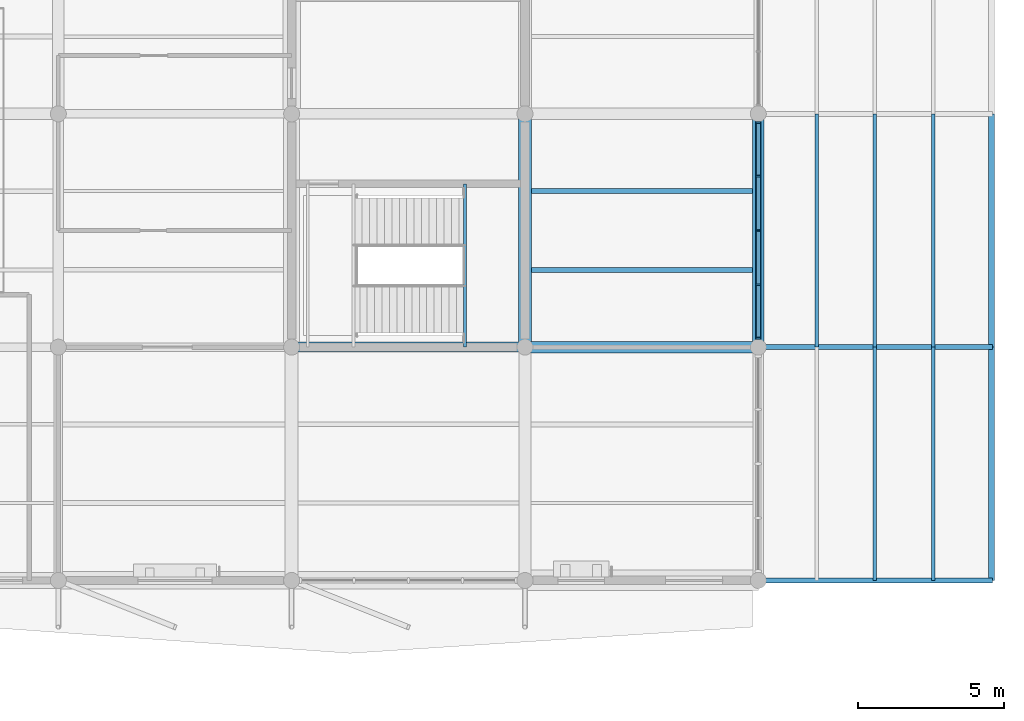
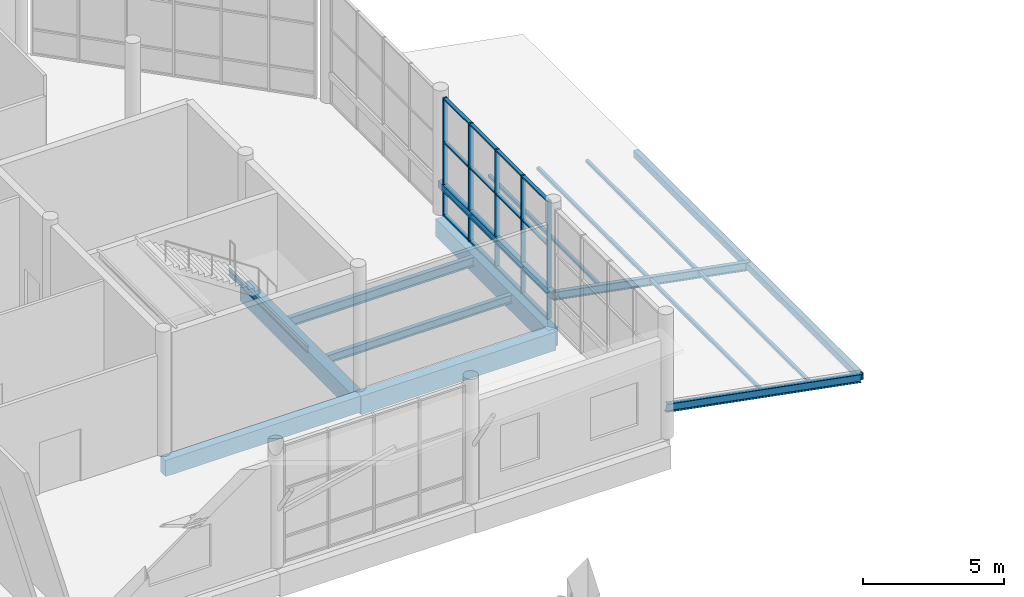
# One storey, part 61 of 122: 26 members, 12 beams, 1 element without a shape of its own.
"""IFC4 building model written with IfcOpenShell, lengths in metres."""

from ifc_helpers import new_model, si_unit, direction, frame, origin, origin_2d, place, context, subcontext, project, spatial, rectangle, hollow_rectangle, i_section, extrude, material, material_profile, profile_set, type_object, element, aggregate, save


model = new_model("IFC4")

# Units and contexts
model_context = context("Model", 3, precision=1e-05, world=origin(), true_north=direction((0.0, 1.0)))
body_context = subcontext(model_context, "Body", "Model", "MODEL_VIEW")
ifc_project = project(units=[si_unit("LENGTHUNIT", "METRE"), si_unit("AREAUNIT", "SQUARE_METRE"), si_unit("VOLUMEUNIT", "CUBIC_METRE"), si_unit("PLANEANGLEUNIT", "RADIAN"), si_unit("MASSUNIT", "GRAM", prefix="KILO")], contexts=[model_context])

# Site, building, storey
site_placement = place(None, origin())
site = spatial("IfcSite", under=ifc_project, at=site_placement, CompositionType="ELEMENT")
building_placement = place(site_placement, origin())
building = spatial("IfcBuilding", under=site, at=building_placement, Name="Tenunan Teduh Sports Hall", CompositionType="ELEMENT")
storey_placement = place(building_placement, frame((0.0, 0.0, 5.39990234375)))
storey = spatial("IfcBuildingStorey", under=building, at=storey_placement, Name="L01", CompositionType="ELEMENT", Elevation=5.39990234375)

# Beams
ifc_material_1 = material(Name="Concrete C40/50", Category="concrete")
ifc_material_profile_1 = material_profile(ifc_material_1, rectangle(XDim=0.35009765625, YDim=0.699951171875, at=origin_2d()), Name="RCB 350x700")
ifc_profile_set_1 = profile_set([ifc_material_profile_1], Name="Concrete C40/50")
beam_type_1 = type_object("IfcBeamType", Name="BM-RC-350x700", PredefinedType="BEAM", material=ifc_profile_set_1)
beam_1_placement = place(storey_placement, frame((146.0, 94.0, -0.60986328125), z_axis=(1.0, 0.0, 0.0), x_axis=(0.0, 1.0, 0.0)))
element("IfcBeam", 1, at=beam_1_placement, inside=storey, type_object=beam_type_1, Name="BM-B-06-L01-1136", PredefinedType="BEAM", context=body_context, shape_type="SweptSolid", body=[
    extrude(rectangle(XDim=0.35009765625, YDim=0.699951171875, at=origin_2d()), origin(), (0.0, 0.0, 1.0), 8.0),
])
ifc_material_2 = material(Name="Concrete C40/50", Category="concrete")
ifc_material_profile_2 = material_profile(ifc_material_2, rectangle(XDim=0.39990234375, YDim=0.800048828125, at=origin_2d()), Name="RCB 400x800")
ifc_profile_set_2 = profile_set([ifc_material_profile_2], Name="Concrete C40/50")
beam_type_2 = type_object("IfcBeamType", Name="BM-RC-400x800", PredefinedType="BEAM", material=ifc_profile_set_2)
beam_2_placement = place(storey_placement, frame((154.0, 94.0, -0.659912109375), z_axis=(1.0, 0.0, 0.0), x_axis=(0.0, 1.0, 0.0)))
element("IfcBeam", 2, at=beam_2_placement, inside=storey, type_object=beam_type_2, Name="BM-B-10-L01-1137", PredefinedType="BEAM", context=body_context, shape_type="SweptSolid", body=[
    extrude(rectangle(XDim=0.39990234375, YDim=0.800048828125, at=origin_2d()), origin(), (0.0, 0.0, 1.0), 8.0),
])
ifc_material_3 = material(Name="Concrete C40/50", Category="concrete")
ifc_material_profile_3 = material_profile(ifc_material_3, rectangle(XDim=0.449951171875, YDim=0.75, at=origin_2d()), Name="RCB 450x750")
ifc_profile_set_3 = profile_set([ifc_material_profile_3], Name="Concrete C40/50")
beam_type_3 = type_object("IfcBeamType", Name="BM-RC-450x750", PredefinedType="BEAM", material=ifc_profile_set_3)
beam_3_placement = place(storey_placement, frame((154.0, 94.0, -0.635009765625), z_axis=(0.0, 1.0, 0.0), x_axis=(-1.0, 0.0, 0.0)))
element("IfcBeam", 3, at=beam_3_placement, inside=storey, type_object=beam_type_3, Name="BM-B-11-L01-1298", PredefinedType="BEAM", context=body_context, shape_type="SweptSolid", body=[
    extrude(rectangle(XDim=0.449951171875, YDim=0.75, at=origin_2d()), origin(), (0.0, 0.0, 1.0), 8.0),
])
ifc_material_4 = material(Name="Concrete C40/50", Category="concrete")
ifc_material_profile_4 = material_profile(ifc_material_4, rectangle(XDim=0.39990234375, YDim=0.780029296875, at=origin_2d()), Name="TB 400x780")
ifc_profile_set_4 = profile_set([ifc_material_profile_4], Name="Concrete C40/50")
beam_type_4 = type_object("IfcBeamType", Name="BM-TB-400x780", PredefinedType="T_BEAM", material=ifc_profile_set_4)
beam_4_placement = place(storey_placement, frame((162.0, 94.0, -0.64990234375), z_axis=(0.0, 1.0, 0.0), x_axis=(-1.0, 0.0, 0.0)))
element("IfcBeam", 4, at=beam_4_placement, inside=storey, type_object=beam_type_4, Name="BM-TB-02-L01-1302", PredefinedType="T_BEAM", context=body_context, shape_type="SweptSolid", body=[
    extrude(rectangle(XDim=0.39990234375, YDim=0.780029296875, at=origin_2d()), origin(), (0.0, 0.0, 1.0), 8.0),
])

# Curtain wall, members
ifc_material_5 = material(Name="Anodised aluminium", Category="aluminium")
curtain_wall_type = type_object("IfcCurtainWallType", Name="CW-UNIT-1", PredefinedType="NOTDEFINED", material=ifc_material_5)
curtain_wall_placement = place(storey_placement, origin())
curtain_wall = element("IfcCurtainWall", 5, at=curtain_wall_placement, inside=storey, type_object=curtain_wall_type, Name="CW-CWM-175-L01-246", PredefinedType="NOTDEFINED")
ifc_material_6 = material(Name="Anodised aluminium", Category="aluminium")
ifc_material_profile_5 = material_profile(ifc_material_6, rectangle(XDim=0.06494140625, YDim=0.175048828125, at=origin_2d()), Name="CWM 65x175")
ifc_profile_set_5 = profile_set([ifc_material_profile_5], Name="Anodised aluminium")
member_type_1 = type_object("IfcMemberType", Name="CWM-175", PredefinedType="MULLION", material=ifc_profile_set_5)
member_1_placement = place(storey_placement, frame((162.0, 94.3076171875, 0.0), z_axis=(0.0, 0.0, 1.0), x_axis=(0.0, 1.0, 0.0)))
member_1 = element("IfcMember", 6, at=member_1_placement, type_object=member_type_1, Name="CW-01 mullion 1", PredefinedType="MULLION", context=body_context, shape_type="SweptSolid", body=[
    extrude(rectangle(XDim=0.06494140625, YDim=0.175048828125, at=origin_2d()), origin(), (0.0, 0.0, 1.0), 5.1201171875),
])
member_2_placement = place(storey_placement, frame((162.0, 96.137451171875, 0.0), z_axis=(0.0, 0.0, 1.0), x_axis=(0.0, 1.0, 0.0)))
member_2 = element("IfcMember", 7, at=member_2_placement, type_object=member_type_1, Name="CW-01 mullion 2", PredefinedType="MULLION", context=body_context, shape_type="SweptSolid", body=[
    extrude(rectangle(XDim=0.06494140625, YDim=0.175048828125, at=origin_2d()), origin(), (0.0, 0.0, 1.0), 5.1201171875),
])
member_3_placement = place(storey_placement, frame((162.0, 98.0, 0.0), z_axis=(0.0, 0.0, 1.0), x_axis=(0.0, 1.0, 0.0)))
member_3 = element("IfcMember", 8, at=member_3_placement, type_object=member_type_1, Name="CW-01 mullion 3", PredefinedType="MULLION", context=body_context, shape_type="SweptSolid", body=[
    extrude(rectangle(XDim=0.06494140625, YDim=0.175048828125, at=origin_2d()), origin(), (0.0, 0.0, 1.0), 5.1201171875),
])
member_4_placement = place(storey_placement, frame((162.0, 99.862548828125, 0.0), z_axis=(0.0, 0.0, 1.0), x_axis=(0.0, 1.0, 0.0)))
member_4 = element("IfcMember", 9, at=member_4_placement, type_object=member_type_1, Name="CW-01 mullion 4", PredefinedType="MULLION", context=body_context, shape_type="SweptSolid", body=[
    extrude(rectangle(XDim=0.06494140625, YDim=0.175048828125, at=origin_2d()), origin(), (0.0, 0.0, 1.0), 5.1201171875),
])
member_5_placement = place(storey_placement, frame((162.0, 101.6923828125, 0.0), z_axis=(0.0, 0.0, 1.0), x_axis=(0.0, 1.0, 0.0)))
member_5 = element("IfcMember", 10, at=member_5_placement, type_object=member_type_1, Name="CW-01 mullion 5", PredefinedType="MULLION", context=body_context, shape_type="SweptSolid", body=[
    extrude(rectangle(XDim=0.06494140625, YDim=0.175048828125, at=origin_2d()), origin(), (0.0, 0.0, 1.0), 5.1201171875),
])
ifc_material_7 = material(Name="Anodised aluminium", Category="aluminium")
ifc_material_profile_6 = material_profile(ifc_material_7, rectangle(XDim=0.06494140625, YDim=0.139892578125, at=origin_2d()), Name="CWT 65x140")
ifc_profile_set_6 = profile_set([ifc_material_profile_6], Name="Anodised aluminium")
member_type_2 = type_object("IfcMemberType", Name="CWT-150", PredefinedType="USERDEFINED", material=ifc_profile_set_6)
member_6_placement = place(storey_placement, frame((162.0, 94.340087890625, 0.03271484375), z_axis=(0.0, 1.0, 0.0), x_axis=(0.0, 0.0, 1.0)))
member_6 = element("IfcMember", 11, at=member_6_placement, type_object=member_type_2, Name="CW-01 transom 1.1", ObjectType="TRANSOM", PredefinedType="USERDEFINED", context=body_context, shape_type="SweptSolid", body=[
    extrude(rectangle(XDim=0.06494140625, YDim=0.139892578125, at=origin_2d()), origin(), (0.0, 0.0, 1.0), 1.764892578125),
])
member_7_placement = place(storey_placement, frame((162.0, 94.340087890625, 1.10009765625), z_axis=(0.0, 1.0, 0.0), x_axis=(0.0, 0.0, 1.0)))
member_7 = element("IfcMember", 12, at=member_7_placement, type_object=member_type_2, Name="CW-01 transom 1.2", ObjectType="TRANSOM", PredefinedType="USERDEFINED", context=body_context, shape_type="SweptSolid", body=[
    extrude(rectangle(XDim=0.06494140625, YDim=0.139892578125, at=origin_2d()), origin(), (0.0, 0.0, 1.0), 1.764892578125),
])
member_8_placement = place(storey_placement, frame((162.0, 94.340087890625, 3.2001953125), z_axis=(0.0, 1.0, 0.0), x_axis=(0.0, 0.0, 1.0)))
member_8 = element("IfcMember", 13, at=member_8_placement, type_object=member_type_2, Name="CW-01 transom 1.3", ObjectType="TRANSOM", PredefinedType="USERDEFINED", context=body_context, shape_type="SweptSolid", body=[
    extrude(rectangle(XDim=0.06494140625, YDim=0.139892578125, at=origin_2d()), origin(), (0.0, 0.0, 1.0), 1.764892578125),
])
member_9_placement = place(storey_placement, frame((162.0, 94.340087890625, 5.087646484375), z_axis=(0.0, 1.0, 0.0), x_axis=(0.0, 0.0, 1.0)))
member_9 = element("IfcMember", 14, at=member_9_placement, type_object=member_type_2, Name="CW-01 transom 1.4", ObjectType="TRANSOM", PredefinedType="USERDEFINED", context=body_context, shape_type="SweptSolid", body=[
    extrude(rectangle(XDim=0.06494140625, YDim=0.139892578125, at=origin_2d()), origin(), (0.0, 0.0, 1.0), 1.764892578125),
])
member_10_placement = place(storey_placement, frame((162.0, 96.169921875, 0.03271484375), z_axis=(0.0, 1.0, 0.0), x_axis=(0.0, 0.0, 1.0)))
member_10 = element("IfcMember", 15, at=member_10_placement, type_object=member_type_2, Name="CW-01 transom 2.1", ObjectType="TRANSOM", PredefinedType="USERDEFINED", context=body_context, shape_type="SweptSolid", body=[
    extrude(rectangle(XDim=0.06494140625, YDim=0.139892578125, at=origin_2d()), origin(), (0.0, 0.0, 1.0), 1.797607421875),
])
member_11_placement = place(storey_placement, frame((162.0, 96.169921875, 1.10009765625), z_axis=(0.0, 1.0, 0.0), x_axis=(0.0, 0.0, 1.0)))
member_11 = element("IfcMember", 16, at=member_11_placement, type_object=member_type_2, Name="CW-01 transom 2.2", ObjectType="TRANSOM", PredefinedType="USERDEFINED", context=body_context, shape_type="SweptSolid", body=[
    extrude(rectangle(XDim=0.06494140625, YDim=0.139892578125, at=origin_2d()), origin(), (0.0, 0.0, 1.0), 1.797607421875),
])
member_12_placement = place(storey_placement, frame((162.0, 96.169921875, 3.2001953125), z_axis=(0.0, 1.0, 0.0), x_axis=(0.0, 0.0, 1.0)))
member_12 = element("IfcMember", 17, at=member_12_placement, type_object=member_type_2, Name="CW-01 transom 2.3", ObjectType="TRANSOM", PredefinedType="USERDEFINED", context=body_context, shape_type="SweptSolid", body=[
    extrude(rectangle(XDim=0.06494140625, YDim=0.139892578125, at=origin_2d()), origin(), (0.0, 0.0, 1.0), 1.797607421875),
])
member_13_placement = place(storey_placement, frame((162.0, 96.169921875, 5.087646484375), z_axis=(0.0, 1.0, 0.0), x_axis=(0.0, 0.0, 1.0)))
member_13 = element("IfcMember", 18, at=member_13_placement, type_object=member_type_2, Name="CW-01 transom 2.4", ObjectType="TRANSOM", PredefinedType="USERDEFINED", context=body_context, shape_type="SweptSolid", body=[
    extrude(rectangle(XDim=0.06494140625, YDim=0.139892578125, at=origin_2d()), origin(), (0.0, 0.0, 1.0), 1.797607421875),
])
member_14_placement = place(storey_placement, frame((162.0, 98.032470703125, 0.03271484375), z_axis=(0.0, 1.0, 0.0), x_axis=(0.0, 0.0, 1.0)))
member_14 = element("IfcMember", 19, at=member_14_placement, type_object=member_type_2, Name="CW-01 transom 3.1", ObjectType="TRANSOM", PredefinedType="USERDEFINED", context=body_context, shape_type="SweptSolid", body=[
    extrude(rectangle(XDim=0.06494140625, YDim=0.139892578125, at=origin_2d()), origin(), (0.0, 0.0, 1.0), 1.797607421875),
])
member_15_placement = place(storey_placement, frame((162.0, 98.032470703125, 1.10009765625), z_axis=(0.0, 1.0, 0.0), x_axis=(0.0, 0.0, 1.0)))
member_15 = element("IfcMember", 20, at=member_15_placement, type_object=member_type_2, Name="CW-01 transom 3.2", ObjectType="TRANSOM", PredefinedType="USERDEFINED", context=body_context, shape_type="SweptSolid", body=[
    extrude(rectangle(XDim=0.06494140625, YDim=0.139892578125, at=origin_2d()), origin(), (0.0, 0.0, 1.0), 1.797607421875),
])
member_16_placement = place(storey_placement, frame((162.0, 98.032470703125, 3.2001953125), z_axis=(0.0, 1.0, 0.0), x_axis=(0.0, 0.0, 1.0)))
member_16 = element("IfcMember", 21, at=member_16_placement, type_object=member_type_2, Name="CW-01 transom 3.3", ObjectType="TRANSOM", PredefinedType="USERDEFINED", context=body_context, shape_type="SweptSolid", body=[
    extrude(rectangle(XDim=0.06494140625, YDim=0.139892578125, at=origin_2d()), origin(), (0.0, 0.0, 1.0), 1.797607421875),
])
member_17_placement = place(storey_placement, frame((162.0, 98.032470703125, 5.087646484375), z_axis=(0.0, 1.0, 0.0), x_axis=(0.0, 0.0, 1.0)))
member_17 = element("IfcMember", 22, at=member_17_placement, type_object=member_type_2, Name="CW-01 transom 3.4", ObjectType="TRANSOM", PredefinedType="USERDEFINED", context=body_context, shape_type="SweptSolid", body=[
    extrude(rectangle(XDim=0.06494140625, YDim=0.139892578125, at=origin_2d()), origin(), (0.0, 0.0, 1.0), 1.797607421875),
])
member_18_placement = place(storey_placement, frame((162.0, 99.89501953125, 0.03271484375), z_axis=(0.0, 1.0, 0.0), x_axis=(0.0, 0.0, 1.0)))
member_18 = element("IfcMember", 23, at=member_18_placement, type_object=member_type_2, Name="CW-01 transom 4.1", ObjectType="TRANSOM", PredefinedType="USERDEFINED", context=body_context, shape_type="SweptSolid", body=[
    extrude(rectangle(XDim=0.06494140625, YDim=0.139892578125, at=origin_2d()), origin(), (0.0, 0.0, 1.0), 1.764892578125),
])
member_19_placement = place(storey_placement, frame((162.0, 99.89501953125, 1.10009765625), z_axis=(0.0, 1.0, 0.0), x_axis=(0.0, 0.0, 1.0)))
member_19 = element("IfcMember", 24, at=member_19_placement, type_object=member_type_2, Name="CW-01 transom 4.2", ObjectType="TRANSOM", PredefinedType="USERDEFINED", context=body_context, shape_type="SweptSolid", body=[
    extrude(rectangle(XDim=0.06494140625, YDim=0.139892578125, at=origin_2d()), origin(), (0.0, 0.0, 1.0), 1.764892578125),
])
member_20_placement = place(storey_placement, frame((162.0, 99.89501953125, 3.2001953125), z_axis=(0.0, 1.0, 0.0), x_axis=(0.0, 0.0, 1.0)))
member_20 = element("IfcMember", 25, at=member_20_placement, type_object=member_type_2, Name="CW-01 transom 4.3", ObjectType="TRANSOM", PredefinedType="USERDEFINED", context=body_context, shape_type="SweptSolid", body=[
    extrude(rectangle(XDim=0.06494140625, YDim=0.139892578125, at=origin_2d()), origin(), (0.0, 0.0, 1.0), 1.764892578125),
])
member_21_placement = place(storey_placement, frame((162.0, 99.89501953125, 5.087646484375), z_axis=(0.0, 1.0, 0.0), x_axis=(0.0, 0.0, 1.0)))
member_21 = element("IfcMember", 26, at=member_21_placement, type_object=member_type_2, Name="CW-01 transom 4.4", ObjectType="TRANSOM", PredefinedType="USERDEFINED", context=body_context, shape_type="SweptSolid", body=[
    extrude(rectangle(XDim=0.06494140625, YDim=0.139892578125, at=origin_2d()), origin(), (0.0, 0.0, 1.0), 1.764892578125),
])
aggregate(curtain_wall, [member_1, member_2, member_3, member_4, member_5, member_6, member_7, member_8, member_9, member_10, member_11, member_12, member_13, member_14, member_15, member_16, member_17, member_18, member_19, member_20, member_21])

# Members
ifc_material_8 = material(Name="Steel S355", Category="steel")
ifc_material_profile_7 = material_profile(ifc_material_8, hollow_rectangle(XDim=0.1201171875, YDim=0.1201171875, WallThickness=0.00634765625, at=origin_2d()), Name="SHS 120x120x6.3")
ifc_profile_set_7 = profile_set([ifc_material_profile_7], Name="Steel S355")
member_type_3 = type_object("IfcMemberType", Name="MEM-PR-SHS120", PredefinedType="PURLIN", material=ifc_profile_set_7)
for number, where, z_axis, x_axis, name in (
    (27, (166.0, 86.003662109375, 0.47021484375), (0.0, 1.0, 0.0), (-1.0, 0.0, 0.0), "MEM-PR-02-L01-1023"),
    (28, (168.0, 86.003662109375, 0.09521484375), (0.0, 1.0, 0.0), (-1.0, 0.0, 0.0), "MEM-PR-02-L01-1024"),
):
    element("IfcMember", number, at=place(storey_placement, frame(where, z_axis=z_axis, x_axis=x_axis)), inside=storey, type_object=member_type_3, Name=name, PredefinedType="PURLIN", context=body_context, shape_type="SweptSolid", body=[
        extrude(hollow_rectangle(XDim=0.1201171875, YDim=0.1201171875, WallThickness=0.00634765625, at=origin_2d()), origin(), (0.0, 0.0, 1.0), 7.996337890625),
    ])
for number, where, z_axis, x_axis, name in (
    (29, (164.0, 94.0, 0.84521484375), (0.0, 1.0, 0.0), (-1.0, 0.0, 0.0), "MEM-PR-02-L01-1027"),
    (30, (166.0, 94.0, 0.47021484375), (0.0, 1.0, 0.0), (-1.0, 0.0, 0.0), "MEM-PR-02-L01-1028"),
    (31, (168.0, 94.0, 0.09521484375), (0.0, 1.0, 0.0), (-1.0, 0.0, 0.0), "MEM-PR-02-L01-1029"),
):
    element("IfcMember", number, at=place(storey_placement, frame(where, z_axis=z_axis, x_axis=x_axis)), inside=storey, type_object=member_type_3, Name=name, PredefinedType="PURLIN", context=body_context, shape_type="SweptSolid", body=[
        extrude(hollow_rectangle(XDim=0.1201171875, YDim=0.1201171875, WallThickness=0.00634765625, at=origin_2d()), origin(), (0.0, 0.0, 1.0), 8.0),
    ])

# Beams
ifc_material_9 = material(Name="Steel S355", Category="steel")
ifc_material_profile_8 = material_profile(ifc_material_9, hollow_rectangle(XDim=0.199951171875, YDim=0.300048828125, WallThickness=0.010009765625, at=origin_2d()), Name="RHS 300x200x10.0")
ifc_profile_set_8 = profile_set([ifc_material_profile_8], Name="Steel S355")
beam_type_5 = type_object("IfcBeamType", Name="RBM-RHS300", PredefinedType="BEAM", material=ifc_profile_set_8)
for number, where, z_axis, x_axis, name in (
    (32, (170.0, 86.0, -0.27978515625), (0.0, 1.0, 0.0), (-1.0, 0.0, 0.0), "Perimeter Ring Beam BM-RB-03-L01-0575"),
    (33, (170.0, 94.0, -0.27978515625), (0.0, 1.0, 0.0), (-1.0, 0.0, 0.0), "Perimeter Ring Beam BM-RB-03-L01-0578"),
    (34, (162.0, 94.0, 1.22021484375), (0.0, 1.0, 0.0), (-1.0, 0.0, 0.0), "Perimeter Ring Beam BM-RB-03-L01-0579"),
):
    element("IfcBeam", number, at=place(storey_placement, frame(where, z_axis=z_axis, x_axis=x_axis)), inside=storey, type_object=beam_type_5, Name=name, PredefinedType="BEAM", context=body_context, shape_type="SweptSolid", body=[
        extrude(hollow_rectangle(XDim=0.199951171875, YDim=0.300048828125, WallThickness=0.010009765625, at=origin_2d()), origin(), (0.0, 0.0, 1.0), 8.0),
    ])
ifc_material_10 = material(Name="Steel S355", Category="steel")
ifc_material_profile_9 = material_profile(ifc_material_10, i_section(OverallWidth=0.17138671875, OverallDepth=0.35498046875, WebThickness=0.00732421875, FlangeThickness=0.011474609375, FilletRadius=0.01025390625, at=origin_2d()), Name="UKB 356x171x51")
ifc_profile_set_9 = profile_set([ifc_material_profile_9], Name="Steel S355")
beam_type_6 = type_object("IfcBeamType", Name="SBM-UKB356", PredefinedType="BEAM", material=ifc_profile_set_9)
for number, where, z_axis, x_axis, name in (
    (35, (170.0, 86.0, -0.2998046875), (-0.982872186934, 0.0, 0.18428853505), (0.0, -1.0, 0.0), "BM-SB-02-L01-0574"),
    (36, (170.0, 94.0, -0.2998046875), (-0.982872186934, 0.0, 0.18428853505), (0.0, -1.0, 0.0), "BM-SB-02-L01-0577"),
):
    element("IfcBeam", number, at=place(storey_placement, frame(where, z_axis=z_axis, x_axis=x_axis)), inside=storey, type_object=beam_type_6, Name=name, PredefinedType="BEAM", context=body_context, shape_type="SweptSolid", body=[
        extrude(i_section(OverallWidth=0.17138671875, OverallDepth=0.35498046875, WebThickness=0.00732421875, FlangeThickness=0.011474609375, FilletRadius=0.01025390625, at=origin_2d()), origin(), (0.0, 0.0, 1.0), 8.139404296875),
    ])
beam_5_placement = place(storey_placement, frame((154.22509765625, 96.64990234375, -0.4375), z_axis=(1.0, 0.0, 0.0), x_axis=(0.0, 1.0, 0.0)))
element("IfcBeam", 37, at=beam_5_placement, inside=storey, type_object=beam_type_6, Name="BM-SB-02-L01-1448", PredefinedType="BEAM", context=body_context, shape_type="SweptSolid", body=[
    extrude(i_section(OverallWidth=0.17138671875, OverallDepth=0.35498046875, WebThickness=0.00732421875, FlangeThickness=0.011474609375, FilletRadius=0.01025390625, at=origin_2d()), origin(), (0.0, 0.0, 1.0), 7.574951171875),
])
ifc_material_11 = material(Name="Steel S355", Category="steel")
ifc_material_profile_10 = material_profile(ifc_material_11, i_section(OverallWidth=0.177978515625, OverallDepth=0.406494140625, WebThickness=0.0078125, FlangeThickness=0.0126953125, FilletRadius=0.01025390625, at=origin_2d()), Name="UKB 406x178x60")
ifc_profile_set_10 = profile_set([ifc_material_profile_10], Name="Steel S355")
beam_type_7 = type_object("IfcBeamType", Name="SBM-UKB406", PredefinedType="BEAM", material=ifc_profile_set_10)
beam_6_placement = place(storey_placement, frame((154.22509765625, 99.35009765625, -0.463134765625), z_axis=(1.0, 0.0, 0.0), x_axis=(0.0, 1.0, 0.0)))
element("IfcBeam", 38, at=beam_6_placement, inside=storey, type_object=beam_type_7, Name="BM-SB-03-L01-1449", PredefinedType="BEAM", context=body_context, shape_type="SweptSolid", body=[
    extrude(i_section(OverallWidth=0.177978515625, OverallDepth=0.406494140625, WebThickness=0.0078125, FlangeThickness=0.0126953125, FilletRadius=0.01025390625, at=origin_2d()), origin(), (0.0, 0.0, 1.0), 7.574951171875),
])
ifc_material_12 = material(Name="Steel S355", Category="steel")
ifc_material_profile_11 = material_profile(ifc_material_12, i_section(OverallWidth=0.090087890625, OverallDepth=0.260009765625, WebThickness=0.008056640625, FlangeThickness=0.013916015625, FilletRadius=0.011962890625, at=origin_2d()), Name="PFC 260x90")
ifc_profile_set_11 = profile_set([ifc_material_profile_11], Name="Steel S355")
beam_type_8 = type_object("IfcBeamType", Name="STR-BM-TRIM", PredefinedType="BEAM", material=ifc_profile_set_11)
beam_7_placement = place(storey_placement, frame((151.945068359375, 94.0, 2.3701171875), z_axis=(0.0, 1.0, 0.0), x_axis=(-1.0, 0.0, 0.0)))
element("IfcBeam", 39, at=beam_7_placement, inside=storey, type_object=beam_type_8, Name="BM-SS-02-E2-L01-M", PredefinedType="BEAM", context=body_context, shape_type="SweptSolid", body=[
    extrude(i_section(OverallWidth=0.090087890625, OverallDepth=0.260009765625, WebThickness=0.008056640625, FlangeThickness=0.013916015625, FilletRadius=0.011962890625, at=origin_2d()), origin(), (0.0, 0.0, 1.0), 5.60009765625),
])

save(model, "model.ifc")
